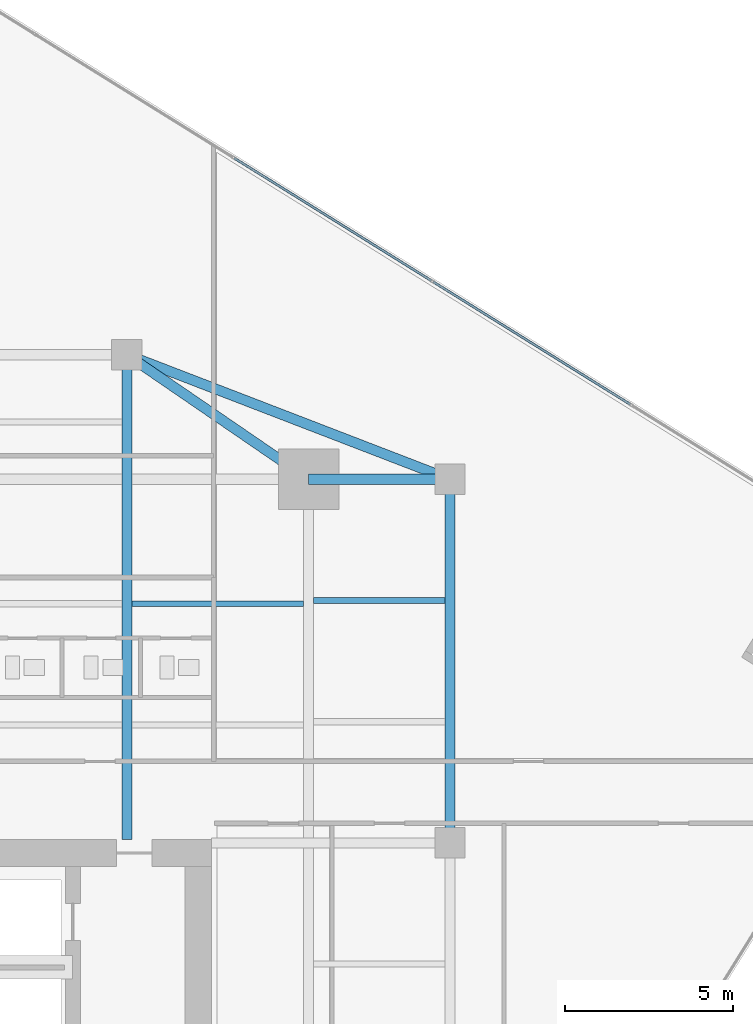
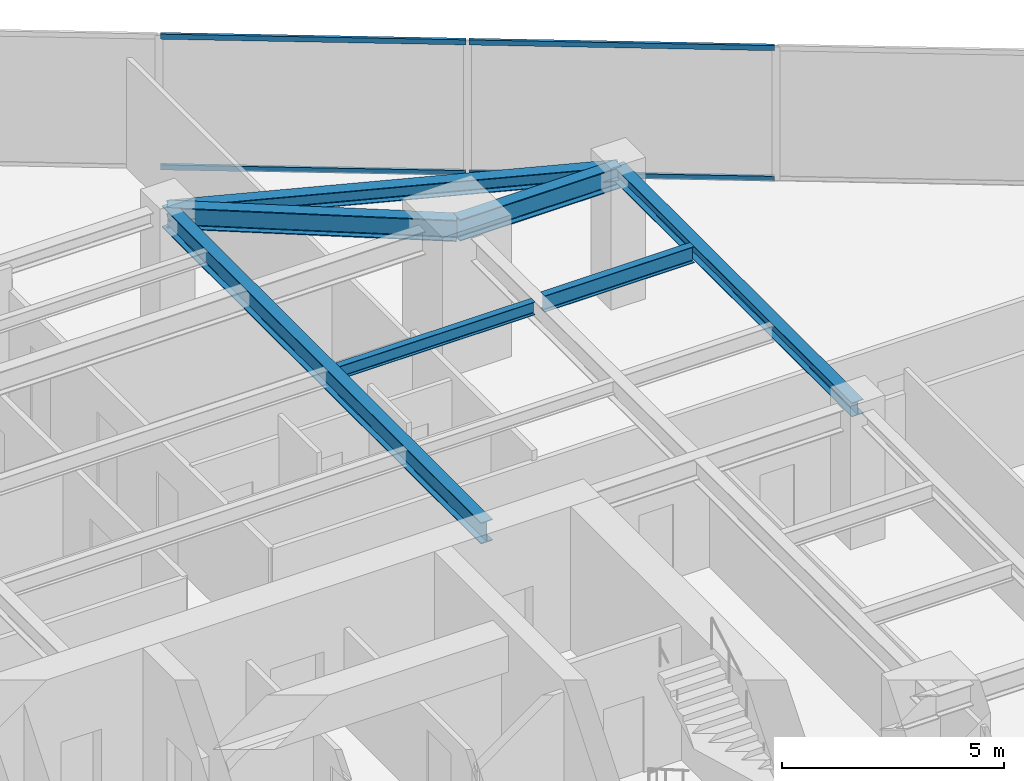
# One storey, part 17 of 26: 7 beams, 4 members, 1 element without a shape of its own.
"""IFC4 building model written with IfcOpenShell, lengths in metres."""

import ifcopenshell
import ifcopenshell.guid

model = None  # the IFC model being written
_history = None  # IfcOwnerHistory: only IFC2X3 demands one
_inside = {}  # id of a spatial element -> (the spatial element, [elements in it])
_under = {}  # id of a project, library or spatial element -> (it, [spatial elements below it])
_declared = {}  # id of a project -> (the project, [libraries it declares])
_typed = {}  # id of a type object -> (the type object, [elements of that type])
_made_of = {}  # id of a material, layer set ... -> (it, [elements and type objects made of it])


def new_model(schema):
    """Start an empty IFC model of exactly this schema.

    Asked for "IFC4X3", IfcOpenShell would pick the latest addendum, in which some entities
    have other attributes; the version numbers below select the first issue.
    IFC2X3 requires an IfcOwnerHistory on every rooted entity: one is made here for all.
    """
    global model, _history
    if schema == "IFC4X3":
        model = ifcopenshell.file(schema_version=(4, 3, 0, 0))
    else:
        model = ifcopenshell.file(schema=schema)
    _inside.clear()
    _under.clear()
    _declared.clear()
    _typed.clear()
    _made_of.clear()
    _history = None
    if model.schema == "IFC2X3":
        org = make("IfcOrganization", Name="unknown")
        user = make(
            "IfcPersonAndOrganization",
            ThePerson=make("IfcPerson", FamilyName="unknown"),
            TheOrganization=org,
        )
        app = make(
            "IfcApplication",
            ApplicationDeveloper=org,
            Version="unknown",
            ApplicationFullName="unknown",
            ApplicationIdentifier="unknown",
        )
        _history = make(
            "IfcOwnerHistory",
            OwningUser=user,
            OwningApplication=app,
            ChangeAction="ADDED",
            CreationDate=0,
        )
    return model


def make(cls, **values):
    """One entity of the class cls with the attributes given. An attribute that is None is left unset."""
    return model.create_entity(
        cls, **{name: value for name, value in values.items() if value is not None}
    )


def rooted(cls, **values):
    """An entity with a GlobalId (a new one), such as an element, a storey or a relation."""
    return make(cls, GlobalId=ifcopenshell.guid.new(), OwnerHistory=_history, **values)


def si_unit(unit_type, name, prefix=None):
    """IfcSIUnit, for example si_unit("LENGTHUNIT", "METRE", prefix="MILLI")."""
    return make("IfcSIUnit", UnitType=unit_type, Prefix=prefix, Name=name)


def assignment(units):
    """IfcUnitAssignment: the units of a project."""
    return None if units is None else make("IfcUnitAssignment", Units=units)


def point(xyz):
    """IfcCartesianPoint."""
    return None if xyz is None else make("IfcCartesianPoint", Coordinates=xyz)


def direction(xyz):
    """IfcDirection."""
    return None if xyz is None else make("IfcDirection", DirectionRatios=xyz)


def frame(location, z_axis=None, x_axis=None):
    """IfcAxis2Placement3D, a coordinate frame: its origin and axes. An axis left out is left unset."""
    return make(
        "IfcAxis2Placement3D",
        Location=point(location),
        Axis=direction(z_axis),
        RefDirection=direction(x_axis),
    )


def frame_2d(location, x_axis=None):
    """IfcAxis2Placement2D, a coordinate frame in the plane: its origin and x axis."""
    return make(
        "IfcAxis2Placement2D", Location=point(location), RefDirection=direction(x_axis)
    )


def origin():
    """The frame at (0, 0, 0) with its axes left unset."""
    return frame((0.0, 0.0, 0.0))


def origin_2d():
    """The frame at (0, 0) in the plane with its x axis left unset."""
    return frame_2d((0.0, 0.0))


def place(relative_to, where):
    """IfcLocalPlacement: puts the frame where relative to a parent placement (None: the world)."""
    return make(
        "IfcLocalPlacement", PlacementRelTo=relative_to, RelativePlacement=where
    )


def context(
    kind, dimensions, precision=None, world=None, true_north=None, identifier=None
):
    """IfcGeometricRepresentationContext, for example the 3D "Model" context."""
    return make(
        "IfcGeometricRepresentationContext",
        ContextIdentifier=identifier,
        ContextType=kind,
        CoordinateSpaceDimension=dimensions,
        Precision=precision,
        WorldCoordinateSystem=world,
        TrueNorth=true_north,
    )


def subcontext(parent, identifier, kind, view, scale=None):
    """IfcGeometricRepresentationSubContext, for example "Body" below "Model"."""
    return make(
        "IfcGeometricRepresentationSubContext",
        ContextIdentifier=identifier,
        ContextType=kind,
        ParentContext=parent,
        TargetScale=scale,
        TargetView=view,
    )


def project(units=None, contexts=None):
    """IfcProject with its units and contexts."""
    return rooted(
        "IfcProject",
        Name="project",
        RepresentationContexts=contexts,
        UnitsInContext=assignment(units),
    )


def spatial(cls, under=None, at=None, **own):
    """A site, building, storey or space (cls), placed at a placement, below another one or the project."""
    s = rooted(cls, ObjectPlacement=at, **own)
    if under is not None:
        _under.setdefault(under.id(), (under, []))[1].append(s)
    return s


def profile(cls, at=None, kind="AREA", **sizes):
    """A parametric profile (cls). Its sizes go by their IFC names, for example OverallWidth=200.0."""
    return make(cls, ProfileType=kind, Position=at, **sizes)


def hollow_rectangle(**sizes):
    """IfcRectangleHollowProfileDef."""
    return profile("IfcRectangleHollowProfileDef", **sizes)


def i_section(**sizes):
    """IfcIShapeProfileDef."""
    return profile("IfcIShapeProfileDef", **sizes)


def extrude(swept, where, along, depth):
    """IfcExtrudedAreaSolid: the profile swept, set in the frame where, extruded along a direction by depth."""
    return make(
        "IfcExtrudedAreaSolid",
        SweptArea=swept,
        Position=where,
        ExtrudedDirection=direction(along),
        Depth=depth,
    )


def shape(context_of_items, identifier, shape_type, items):
    """IfcShapeRepresentation: the items that make up one representation, for example the "Body"."""
    return make(
        "IfcShapeRepresentation",
        ContextOfItems=context_of_items,
        RepresentationIdentifier=identifier,
        RepresentationType=shape_type,
        Items=items,
    )


def source(mapping_origin, context_of_items, identifier, shape_type, items):
    """IfcRepresentationMap: a shape defined once, which mapped items show again and again."""
    return make(
        "IfcRepresentationMap",
        MappingOrigin=mapping_origin,
        MappedRepresentation=shape(context_of_items, identifier, shape_type, items),
    )


def transform(
    local_origin,
    x_axis=None,
    y_axis=None,
    z_axis=None,
    scale=None,
    scale2=None,
    scale3=None,
    uniform=True,
):
    """IfcCartesianTransformationOperator3D, or its non-uniform kind. x_axis, y_axis, z_axis: its Axis1, 2, 3."""
    if uniform:
        return make(
            "IfcCartesianTransformationOperator3D",
            Axis1=direction(x_axis),
            Axis2=direction(y_axis),
            LocalOrigin=point(local_origin),
            Scale=scale,
            Axis3=direction(z_axis),
        )
    return make(
        "IfcCartesianTransformationOperator3DnonUniform",
        Axis1=direction(x_axis),
        Axis2=direction(y_axis),
        LocalOrigin=point(local_origin),
        Scale=scale,
        Axis3=direction(z_axis),
        Scale2=scale2,
        Scale3=scale3,
    )


def mapped(mapping_source, mapping_target):
    """IfcMappedItem: shows the shape of a source again, moved by a transform."""
    return make(
        "IfcMappedItem", MappingSource=mapping_source, MappingTarget=mapping_target
    )


def material(Name=None, Category=None):
    """IfcMaterial."""
    return make("IfcMaterial", Name=Name, Category=Category)


def material_profile(
    of_material, cross_section, Name=None, Category=None, Priority=None
):
    """IfcMaterialProfile: a cross section and its material."""
    return make(
        "IfcMaterialProfile",
        Name=Name,
        Material=of_material,
        Profile=cross_section,
        Priority=Priority,
        Category=Category,
    )


def profile_set(profiles, Name=None, composite=None):
    """IfcMaterialProfileSet."""
    return make(
        "IfcMaterialProfileSet",
        Name=Name,
        MaterialProfiles=profiles,
        CompositeProfile=composite,
    )


def made_of(thing, what):
    """Note that an element or type object is made of a material, layer set ...; save() writes the relation."""
    if what is not None:
        _made_of.setdefault(what.id(), (what, []))[1].append(thing)
    return thing


def type_object(cls, material=None, **own):
    """A type object (cls), such as IfcWallType, which elements share."""
    return made_of(rooted(cls, **own), material)


def type_shapes(of_type, sources):
    """Give a type object the sources (RepresentationMaps) that its elements show as mapped items."""
    of_type.RepresentationMaps = sources


def element(
    cls,
    number,
    at=None,
    inside=None,
    cuts=None,
    type_object=None,
    material=None,
    context=None,
    identifier="Body",
    shape_type=None,
    held_by="IfcProductDefinitionShape",
    body=None,
    shapes=None,
    **own,
):
    """One element of the class cls, such as IfcWall. Its Tag is "e" and its number.

    at: its placement. inside: the storey or other place that contains it. cuts: it is an
    opening in that element (IfcRelVoidsElement). A single representation is given by context,
    identifier, shape_type and body (its items); several are given by shapes. held_by: the class
    of the entity that holds the representations. save() writes the other relations.
    """
    e = rooted(cls, Tag="e%d" % number, ObjectPlacement=at, **own)
    if body is not None:
        shapes = [shape(context, identifier, shape_type, body)]
    if shapes is not None:
        e.Representation = make(held_by, Representations=shapes)
    if inside is not None:
        _inside.setdefault(inside.id(), (inside, []))[1].append(e)
    if cuts is not None:
        rooted(
            "IfcRelVoidsElement", RelatingBuildingElement=cuts, RelatedOpeningElement=e
        )
    if type_object is not None:
        _typed.setdefault(type_object.id(), (type_object, []))[1].append(e)
    return made_of(e, material)


def aggregate(whole, parts):
    """IfcRelAggregates: a whole, such as a stair, and the parts it consists of."""
    return rooted("IfcRelAggregates", RelatingObject=whole, RelatedObjects=parts)


def save(model, path):
    """Write the relations noted so far, then the file.

    IfcRelAggregates (storeys below a building ...), IfcRelContainedInSpatialStructure (elements
    in a storey), IfcRelDefinesByType, IfcRelAssociatesMaterial and IfcRelDeclares: one each for
    every whole, place, type object, material and project.
    """
    for whole, parts in _under.values():
        aggregate(whole, parts)
    for where, things in _inside.values():
        rooted(
            "IfcRelContainedInSpatialStructure",
            RelatedElements=things,
            RelatingStructure=where,
        )
    for kind, things in _typed.values():
        rooted("IfcRelDefinesByType", RelatedObjects=things, RelatingType=kind)
    for what, things in _made_of.values():
        rooted("IfcRelAssociatesMaterial", RelatedObjects=things, RelatingMaterial=what)
    for by, libraries in _declared.values():
        rooted("IfcRelDeclares", RelatingContext=by, RelatedDefinitions=libraries)
    model.write(path)


model = new_model("IFC4")

# Units and contexts
model_context = context("Model", 3, precision=1e-05, world=origin(), true_north=direction((0.0, 1.0)))
body_context = subcontext(model_context, "Body", "Model", "MODEL_VIEW")
ifc_project = project(units=[si_unit("LENGTHUNIT", "METRE"), si_unit("AREAUNIT", "SQUARE_METRE"), si_unit("VOLUMEUNIT", "CUBIC_METRE"), si_unit("PLANEANGLEUNIT", "RADIAN"), si_unit("MASSUNIT", "GRAM", prefix="KILO")], contexts=[model_context])

# Site, building, storey
site_placement = place(None, origin())
site = spatial("IfcSite", under=ifc_project, at=site_placement, CompositionType="ELEMENT")
building_placement = place(site_placement, origin())
building = spatial("IfcBuilding", under=site, at=building_placement, Name="Krantzveldt Concourse Tower", CompositionType="ELEMENT")
storey_placement = place(building_placement, frame((0.0, 0.0, 173.85009765625)))
storey = spatial("IfcBuildingStorey", under=building, at=storey_placement, Name="L42", CompositionType="ELEMENT", Elevation=173.85009765625)

# Beams
ifc_material_1 = material(Name="Steel S355JR", Category="steel")
ifc_material_profile_1 = material_profile(ifc_material_1, i_section(OverallWidth=0.300048828125, OverallDepth=0.590087890625, WebThickness=0.012939453125, FlangeThickness=0.02490234375, FilletRadius=0.027099609375, at=origin_2d()), Name="Steel S355JR", Category="steel")
ifc_profile_set_1 = profile_set([ifc_material_profile_1], Name="Steel S355JR - HEA 600")
beam_type_1 = type_object("IfcBeamType", Name="BM-B-HEA600", PredefinedType="BEAM", material=ifc_profile_set_1)
shared_shape_1 = source(origin(), body_context, "Body", "SweptSolid", [
    extrude(i_section(OverallWidth=0.300048828125, OverallDepth=0.590087890625, WebThickness=0.012939453125, FlangeThickness=0.02490234375, FilletRadius=0.027099609375, at=origin_2d()), origin(), (0.0, 0.0, 1.0), 14.39990234375),
])
beam_1_placement = place(storey_placement, frame((41.39990234375, 26.800048828125, 3.375), z_axis=(0.0, 1.0, 0.0), x_axis=(-1.0, 0.0, 0.0)))
element("IfcBeam", 1, at=beam_1_placement, inside=storey, type_object=beam_type_1, Name="L42 Tower Girder BG-CNE", PredefinedType="BEAM", context=body_context, shape_type="MappedRepresentation", body=[
    mapped(shared_shape_1, transform((0.0, 0.0, 0.0), x_axis=(1.0, 0.0, 0.0), y_axis=(0.0, 1.0, 0.0), z_axis=(0.0, 0.0, 1.0), scale=1.0)),
])
shared_shape_2 = source(origin(), body_context, "Body", "SweptSolid", [
    extrude(i_section(OverallWidth=0.300048828125, OverallDepth=0.590087890625, WebThickness=0.012939453125, FlangeThickness=0.02490234375, FilletRadius=0.027099609375, at=origin_2d()), origin(), (0.0, 0.0, 1.0), 4.199951171875),
])
beam_2_placement = place(storey_placement, frame((46.800048828125, 37.5, 3.375), z_axis=(1.0, 0.0, 0.0), x_axis=(0.0, 1.0, 0.0)))
element("IfcBeam", 2, at=beam_2_placement, inside=storey, type_object=beam_type_1, Name="L42 Tower Girder BR-RR3", PredefinedType="BEAM", context=body_context, shape_type="MappedRepresentation", body=[
    mapped(shared_shape_2, transform((0.0, 0.0, 0.0), x_axis=(1.0, 0.0, 0.0), y_axis=(0.0, 1.0, 0.0), z_axis=(0.0, 0.0, 1.0), scale=1.0)),
])
shared_shape_3 = source(origin(), body_context, "Body", "SweptSolid", [
    extrude(i_section(OverallWidth=0.300048828125, OverallDepth=0.590087890625, WebThickness=0.012939453125, FlangeThickness=0.02490234375, FilletRadius=0.027099609375, at=origin_2d()), origin(), (0.0, 0.0, 1.0), 6.546142578125),
])
type_shapes(beam_type_1, [shared_shape_1, shared_shape_2, shared_shape_3])
beam_3_placement = place(storey_placement, frame((46.800048828125, 37.5, 3.375), z_axis=(-0.824942999484, 0.565215930068, 0.0), x_axis=(-0.565215930068, -0.824942999484, 0.0)))
element("IfcBeam", 3, at=beam_3_placement, inside=storey, type_object=beam_type_1, Name="L42 Tower Girder BR-RR4", PredefinedType="BEAM", context=body_context, shape_type="MappedRepresentation", body=[
    mapped(shared_shape_3, transform((0.0, 0.0, 0.0), x_axis=(1.0, 0.0, 0.0), y_axis=(0.0, 1.0, 0.0), z_axis=(0.0, 0.0, 1.0), scale=1.0)),
])
ifc_material_profile_2 = material_profile(ifc_material_1, i_section(OverallWidth=0.300048828125, OverallDepth=0.389892578125, WebThickness=0.010986328125, FlangeThickness=0.01904296875, FilletRadius=0.027099609375, at=origin_2d()), Name="Steel S355JR", Category="steel")
ifc_profile_set_2 = profile_set([ifc_material_profile_2], Name="Steel S355JR - HEA 400")
beam_type_2 = type_object("IfcBeamType", Name="BM-SP-HEA400", PredefinedType="SPANDREL", material=ifc_profile_set_2)
shared_shape_4 = source(origin(), body_context, "Body", "SweptSolid", [
    extrude(i_section(OverallWidth=0.300048828125, OverallDepth=0.389892578125, WebThickness=0.010986328125, FlangeThickness=0.01904296875, FilletRadius=0.027099609375, at=origin_2d()), origin(), (0.0, 0.0, 1.0), 10.800048828125),
])
beam_4_placement = place(storey_placement, frame((51.0, 37.5, 3.474853515625), z_axis=(0.0, -1.0, 0.0), x_axis=(1.0, 0.0, 0.0)))
element("IfcBeam", 4, at=beam_4_placement, inside=storey, type_object=beam_type_2, Name="L42 Tower Girder SP-R06", PredefinedType="SPANDREL", context=body_context, shape_type="MappedRepresentation", body=[
    mapped(shared_shape_4, transform((0.0, 0.0, 0.0), x_axis=(1.0, 0.0, 0.0), y_axis=(0.0, 1.0, 0.0), z_axis=(0.0, 0.0, 1.0), scale=1.0)),
])
shared_shape_5 = source(origin(), body_context, "Body", "SweptSolid", [
    extrude(i_section(OverallWidth=0.300048828125, OverallDepth=0.389892578125, WebThickness=0.010986328125, FlangeThickness=0.01904296875, FilletRadius=0.027099609375, at=origin_2d()), origin(), (0.0, 0.0, 1.0), 10.288330078125),
])
type_shapes(beam_type_2, [shared_shape_4, shared_shape_5])
beam_5_placement = place(storey_placement, frame((41.39990234375, 41.199951171875, 3.474853515625), z_axis=(0.933097690408, -0.359622997257, 0.0), x_axis=(0.359622997257, 0.933097690408, 0.0)))
element("IfcBeam", 5, at=beam_5_placement, inside=storey, type_object=beam_type_2, Name="L42 Tower Girder SP-R05", PredefinedType="SPANDREL", context=body_context, shape_type="MappedRepresentation", body=[
    mapped(shared_shape_5, transform((0.0, 0.0, 0.0), x_axis=(1.0, 0.0, 0.0), y_axis=(0.0, 1.0, 0.0), z_axis=(0.0, 0.0, 1.0), scale=1.0)),
])
ifc_material_profile_3 = material_profile(ifc_material_1, i_section(OverallWidth=0.169921875, OverallDepth=0.360107421875, WebThickness=0.008056640625, FlangeThickness=0.0126953125, FilletRadius=0.01806640625, at=origin_2d()), Name="Steel S355JR", Category="steel")
ifc_profile_set_3 = profile_set([ifc_material_profile_3], Name="Steel S355JR - IPE 360")
beam_type_3 = type_object("IfcBeamType", Name="BM-J-IPE360", PredefinedType="JOIST", material=ifc_profile_set_3)
shared_shape_6 = source(origin(), body_context, "Body", "SweptSolid", [
    extrude(i_section(OverallWidth=0.169921875, OverallDepth=0.360107421875, WebThickness=0.008056640625, FlangeThickness=0.0126953125, FilletRadius=0.01806640625, at=origin_2d()), origin(), (0.0, 0.0, 1.0), 5.099853515625),
])
type_shapes(beam_type_3, [shared_shape_6])
beam_6_placement = place(storey_placement, frame((41.550048828125, 33.800048828125, 3.489990234375), z_axis=(1.0, 0.0, 0.0), x_axis=(0.0, 1.0, 0.0)))
element("IfcBeam", 6, at=beam_6_placement, inside=storey, type_object=beam_type_3, Name="L42 Secondary Floor Joist JN-E2", PredefinedType="JOIST", context=body_context, shape_type="MappedRepresentation", body=[
    mapped(shared_shape_6, transform((0.0, 0.0, 0.0), x_axis=(1.0, 0.0, 0.0), y_axis=(0.0, 1.0, 0.0), z_axis=(0.0, 0.0, 1.0), scale=1.0)),
])
ifc_material_profile_4 = material_profile(ifc_material_1, i_section(OverallWidth=0.18994140625, OverallDepth=0.449951171875, WebThickness=0.009521484375, FlangeThickness=0.0146484375, FilletRadius=0.02099609375, at=origin_2d()), Name="Steel S355JR", Category="steel")
ifc_profile_set_4 = profile_set([ifc_material_profile_4], Name="Steel S355JR - IPE 450")
beam_type_4 = type_object("IfcBeamType", Name="BM-J-IPE450", PredefinedType="JOIST", material=ifc_profile_set_4)
shared_shape_7 = source(origin(), body_context, "Body", "SweptSolid", [
    extrude(i_section(OverallWidth=0.18994140625, OverallDepth=0.449951171875, WebThickness=0.009521484375, FlangeThickness=0.0146484375, FilletRadius=0.02099609375, at=origin_2d()), origin(), (0.0, 0.0, 1.0), 3.900146484375),
])
type_shapes(beam_type_4, [shared_shape_7])
beam_7_placement = place(storey_placement, frame((46.949951171875, 33.89990234375, 3.44482421875), z_axis=(1.0, 0.0, 0.0), x_axis=(0.0, 1.0, 0.0)))
element("IfcBeam", 7, at=beam_7_placement, inside=storey, type_object=beam_type_4, Name="L42 Secondary Floor Joist JE-4", PredefinedType="JOIST", context=body_context, shape_type="MappedRepresentation", body=[
    mapped(shared_shape_7, transform((0.0, 0.0, 0.0), x_axis=(1.0, 0.0, 0.0), y_axis=(0.0, 1.0, 0.0), z_axis=(0.0, 0.0, 1.0), scale=1.0)),
])

# Curtain wall, members
ifc_material_2 = material(Name="Anodised aluminium 6063-T6", Category="aluminium")
curtain_wall_type = type_object("IfcCurtainWallType", Name="CW3", PredefinedType="USERDEFINED", material=ifc_material_2)
curtain_wall_placement = place(storey_placement, origin())
curtain_wall = element("IfcCurtainWall", 8, at=curtain_wall_placement, inside=storey, type_object=curtain_wall_type, Name="CW-L42-F10", ObjectType="UNITISED CURTAIN WALL", PredefinedType="USERDEFINED")
ifc_material_profile_5 = material_profile(ifc_material_2, hollow_rectangle(XDim=0.070068359375, YDim=0.139892578125, WallThickness=0.0048828125, at=origin_2d()), Name="Anodised aluminium 6063-T6", Category="aluminium")
ifc_profile_set_5 = profile_set([ifc_material_profile_5], Name="Anodised aluminium 6063-T6 - ALU-TRAN 140x70x5")
member_type = type_object("IfcMemberType", Name="CW-TRN-150", PredefinedType="USERDEFINED", material=ifc_profile_set_5)
shared_shape_8 = source(origin(), body_context, "Body", "SweptSolid", [
    extrude(hollow_rectangle(XDim=0.070068359375, YDim=0.139892578125, WallThickness=0.0048828125, at=origin_2d()), origin(), (0.0, 0.0, 1.0), 6.89013671875),
])
member_1_placement = place(storey_placement, frame((50.442626953125, 43.40185546875, 0.034912109375), z_axis=(-0.849202443437, 0.528067429464, 0.0), x_axis=(-0.528067429464, -0.849202443437, 0.0)))
member_1 = element("IfcMember", 9, at=member_1_placement, type_object=member_type, Name="CW-Z34 transom 3.1", ObjectType="TRANSOM", PredefinedType="USERDEFINED", context=body_context, shape_type="MappedRepresentation", body=[
    mapped(shared_shape_8, transform((0.0, 0.0, 0.0), x_axis=(1.0, 0.0, 0.0), y_axis=(0.0, 1.0, 0.0), z_axis=(0.0, 0.0, 1.0), scale=1.0)),
])
member_2_placement = place(storey_placement, frame((50.442626953125, 43.40185546875, 3.635009765625), z_axis=(-0.849202443437, 0.528067429464, 0.0), x_axis=(-0.528067429464, -0.849202443437, 0.0)))
member_2 = element("IfcMember", 10, at=member_2_placement, type_object=member_type, Name="CW-Z34 transom 3.2", ObjectType="TRANSOM", PredefinedType="USERDEFINED", context=body_context, shape_type="MappedRepresentation", body=[
    mapped(shared_shape_8, transform((0.0, 0.0, 0.0), x_axis=(1.0, 0.0, 0.0), y_axis=(0.0, 1.0, 0.0), z_axis=(0.0, 0.0, 1.0), scale=1.0)),
])
shared_shape_9 = source(origin(), body_context, "Body", "SweptSolid", [
    extrude(hollow_rectangle(XDim=0.070068359375, YDim=0.139892578125, WallThickness=0.0048828125, at=origin_2d()), origin(), (0.0, 0.0, 1.0), 6.889892578125),
])
type_shapes(member_type, [shared_shape_8, shared_shape_9])
member_3_placement = place(storey_placement, frame((56.35302734375, 39.7265625, 0.034912109375), z_axis=(-0.849192562138, 0.528083319572, 0.0), x_axis=(-0.528083319572, -0.849192562138, 0.0)))
member_3 = element("IfcMember", 11, at=member_3_placement, type_object=member_type, Name="CW-Z34 transom 2.1", ObjectType="TRANSOM", PredefinedType="USERDEFINED", context=body_context, shape_type="MappedRepresentation", body=[
    mapped(shared_shape_9, transform((0.0, 0.0, 0.0), x_axis=(1.0, 0.0, 0.0), y_axis=(0.0, 1.0, 0.0), z_axis=(0.0, 0.0, 1.0), scale=1.0)),
])
member_4_placement = place(storey_placement, frame((56.35302734375, 39.7265625, 3.635009765625), z_axis=(-0.849192562138, 0.528083319572, 0.0), x_axis=(-0.528083319572, -0.849192562138, 0.0)))
member_4 = element("IfcMember", 12, at=member_4_placement, type_object=member_type, Name="CW-Z34 transom 2.2", ObjectType="TRANSOM", PredefinedType="USERDEFINED", context=body_context, shape_type="MappedRepresentation", body=[
    mapped(shared_shape_9, transform((0.0, 0.0, 0.0), x_axis=(1.0, 0.0, 0.0), y_axis=(0.0, 1.0, 0.0), z_axis=(0.0, 0.0, 1.0), scale=1.0)),
])
aggregate(curtain_wall, [member_3, member_4, member_1, member_2])

save(model, "model.ifc")
